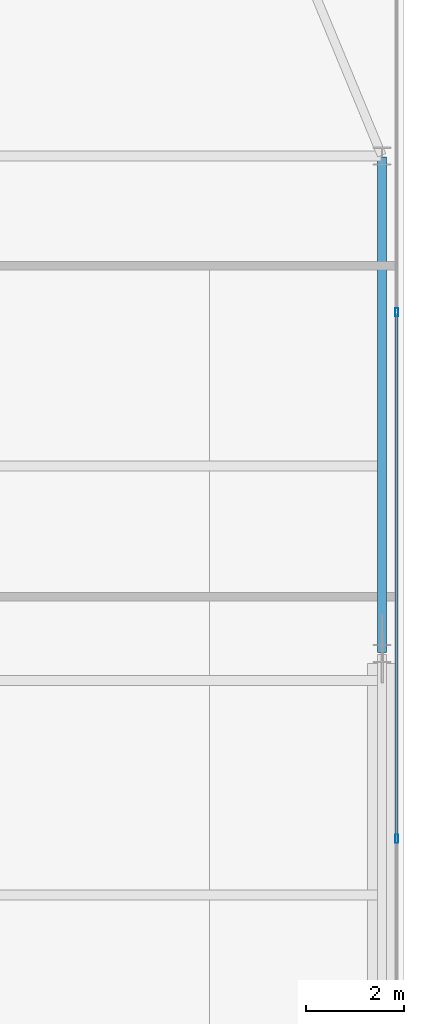
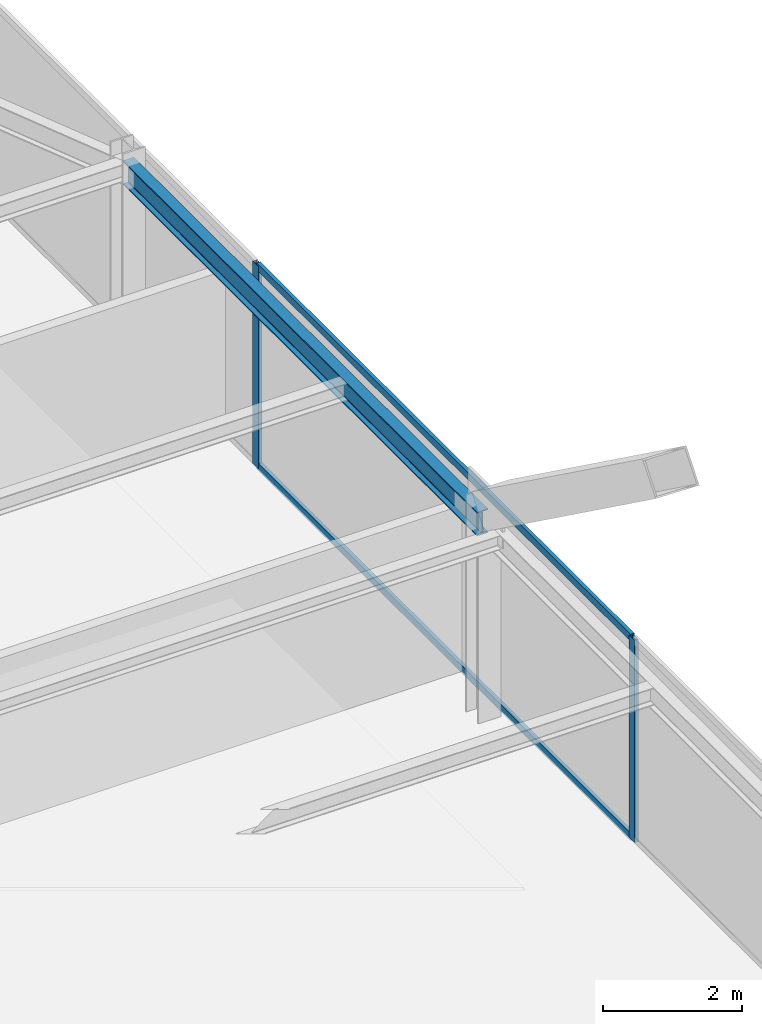
# One storey, part 18 of 32: 4 members, 1 beam, 1 element without a shape of its own.
"""IFC4 building model written with IfcOpenShell, lengths in metres."""

from ifc_helpers import new_model, si_unit, direction, frame, origin, origin_2d, place, context, subcontext, project, spatial, hollow_rectangle, i_section, extrude, source, transform, mapped, material, layer, layer_set, material_profile, profile_set, type_object, type_shapes, element, aggregate, save


model = new_model("IFC4")

# Units and contexts
model_context = context("Model", 3, precision=1e-05, world=origin(), true_north=direction((0.0, 1.0)))
body_context = subcontext(model_context, "Body", "Model", "MODEL_VIEW")
ifc_project = project(units=[si_unit("LENGTHUNIT", "METRE"), si_unit("AREAUNIT", "SQUARE_METRE"), si_unit("VOLUMEUNIT", "CUBIC_METRE"), si_unit("PLANEANGLEUNIT", "RADIAN"), si_unit("MASSUNIT", "GRAM", prefix="KILO")], contexts=[model_context])

# Site, building, storey
site_placement = place(None, origin())
site = spatial("IfcSite", under=ifc_project, at=site_placement, CompositionType="ELEMENT")
building_placement = place(site_placement, origin())
building = spatial("IfcBuilding", under=site, at=building_placement, Name="Varnel Quay Broadcast Tower", CompositionType="ELEMENT")
storey_placement = place(building_placement, frame((0.0, 0.0, 164.800048828125)))
storey = spatial("IfcBuildingStorey", under=building, at=storey_placement, Name="L40", CompositionType="ELEMENT", Elevation=164.800048828125)

# Beam
ifc_material_1 = material(Name="Structural Steel CSA G40.21 350W", Category="steel")
ifc_material_profile_1 = material_profile(ifc_material_1, i_section(OverallWidth=0.180908203125, OverallDepth=0.4169921875, WebThickness=0.010986328125, FlangeThickness=0.018310546875, FilletRadius=0.011962890625, at=origin_2d()), Name="W410X85")
ifc_profile_set_1 = profile_set([ifc_material_profile_1], Name="Structural Steel CSA G40.21 350W")
beam_type = type_object("IfcBeamType", Name="Beam_W410X85", PredefinedType="SPANDREL", material=ifc_profile_set_1)
shared_shape_1 = source(origin(), body_context, "Body", "SweptSolid", [
    extrude(i_section(OverallWidth=0.180908203125, OverallDepth=0.4169921875, WebThickness=0.010986328125, FlangeThickness=0.018310546875, FilletRadius=0.011962890625, at=origin_2d()), origin(), (0.0, 0.0, 1.0), 10.16015625),
])
type_shapes(beam_type, [shared_shape_1])
beam_placement = place(storey_placement, frame((60.550048828125, 25.419921875, 3.341552734375), z_axis=(0.0, 1.0, 0.0), x_axis=(-1.0, 0.0, 0.0)))
element("IfcBeam", 1, at=beam_placement, inside=storey, type_object=beam_type, Name="L40 East Spandrel TC-E2-TC-E3", PredefinedType="SPANDREL", context=body_context, shape_type="MappedRepresentation", body=[
    mapped(shared_shape_1, transform((0.0, 0.0, 0.0), x_axis=(1.0, 0.0, 0.0), y_axis=(0.0, 1.0, 0.0), z_axis=(0.0, 0.0, 1.0), scale=1.0)),
])

# Curtain wall, members
ifc_material_2 = material(Name="Anodised Bronze Aluminium 6063-T6", Category="aluminium")
ifc_layer = layer(ifc_material_2, 0.18994140625, Name="Anodised Bronze Aluminium 6063-T6")
ifc_layer_set = layer_set([ifc_layer], Name="Anodised Bronze Aluminium 6063-T6")
curtain_wall_type = type_object("IfcCurtainWallType", Name="CW_UpperTower", PredefinedType="NOTDEFINED", material=ifc_layer_set)
curtain_wall_placement = place(storey_placement, origin())
curtain_wall = element("IfcCurtainWall", 2, at=curtain_wall_placement, inside=storey, type_object=curtain_wall_type, Name="L40 East Unitised Curtain Wall", PredefinedType="NOTDEFINED")
ifc_material_profile_2 = material_profile(ifc_material_2, hollow_rectangle(XDim=0.06494140625, YDim=0.1650390625, WallThickness=0.00341796875, at=origin_2d()), Name="ALU65X165X3.5")
ifc_profile_set_2 = profile_set([ifc_material_profile_2], Name="Anodised Bronze Aluminium 6063-T6")
member_type_1 = type_object("IfcMemberType", Name="Mull_CWS-03", PredefinedType="MULLION", material=ifc_profile_set_2)
shared_shape_2 = source(origin(), body_context, "Body", "SweptSolid", [
    extrude(hollow_rectangle(XDim=0.06494140625, YDim=0.1650390625, WallThickness=0.00341796875, at=origin_2d()), origin(), (0.0, 0.0, 1.0), 3.550048828125),
])
type_shapes(member_type_1, [shared_shape_2])
member_1_placement = place(storey_placement, frame((60.85009765625, 21.60009765625, 0.0), z_axis=(0.0, 0.0, 1.0), x_axis=(-1.0, 0.0, 0.0)))
member_1 = element("IfcMember", 3, at=member_1_placement, type_object=member_type_1, Name="CWS-03 mullion 2", PredefinedType="MULLION", context=body_context, shape_type="MappedRepresentation", body=[
    mapped(shared_shape_2, transform((0.0, 0.0, 0.0), x_axis=(1.0, 0.0, 0.0), y_axis=(0.0, 1.0, 0.0), z_axis=(0.0, 0.0, 1.0), scale=1.0)),
])
member_2_placement = place(storey_placement, frame((60.85009765625, 32.39990234375, 0.0), z_axis=(0.0, 0.0, 1.0), x_axis=(-1.0, 0.0, 0.0)))
member_2 = element("IfcMember", 4, at=member_2_placement, type_object=member_type_1, Name="CWS-03 mullion 3", PredefinedType="MULLION", context=body_context, shape_type="MappedRepresentation", body=[
    mapped(shared_shape_2, transform((0.0, 0.0, 0.0), x_axis=(1.0, 0.0, 0.0), y_axis=(0.0, 1.0, 0.0), z_axis=(0.0, 0.0, 1.0), scale=1.0)),
])
ifc_material_profile_3 = material_profile(ifc_material_2, hollow_rectangle(XDim=0.06005859375, YDim=0.125, WallThickness=0.0029296875, at=origin_2d()), Name="ALU60X125X3")
ifc_profile_set_3 = profile_set([ifc_material_profile_3], Name="Anodised Bronze Aluminium 6063-T6")
member_type_2 = type_object("IfcMemberType", Name="Tran_CWS-03", PredefinedType="USERDEFINED", material=ifc_profile_set_3)
shared_shape_3 = source(origin(), body_context, "Body", "SweptSolid", [
    extrude(hollow_rectangle(XDim=0.06005859375, YDim=0.125, WallThickness=0.0029296875, at=origin_2d()), origin(), (0.0, 0.0, 1.0), 10.73486328125),
])
type_shapes(member_type_2, [shared_shape_3])
member_3_placement = place(storey_placement, frame((60.85009765625, 21.632568359375, 0.030029296875), z_axis=(0.0, 1.0, 0.0), x_axis=(-1.0, 0.0, 0.0)))
member_3 = element("IfcMember", 5, at=member_3_placement, type_object=member_type_2, Name="CWS-03 transom 2.1", ObjectType="TRANSOM", PredefinedType="USERDEFINED", context=body_context, shape_type="MappedRepresentation", body=[
    mapped(shared_shape_3, transform((0.0, 0.0, 0.0), x_axis=(1.0, 0.0, 0.0), y_axis=(0.0, 1.0, 0.0), z_axis=(0.0, 0.0, 1.0), scale=1.0)),
])
member_4_placement = place(storey_placement, frame((60.85009765625, 21.632568359375, 3.52001953125), z_axis=(0.0, 1.0, 0.0), x_axis=(-1.0, 0.0, 0.0)))
member_4 = element("IfcMember", 6, at=member_4_placement, type_object=member_type_2, Name="CWS-03 transom 2.2", ObjectType="TRANSOM", PredefinedType="USERDEFINED", context=body_context, shape_type="MappedRepresentation", body=[
    mapped(shared_shape_3, transform((0.0, 0.0, 0.0), x_axis=(1.0, 0.0, 0.0), y_axis=(0.0, 1.0, 0.0), z_axis=(0.0, 0.0, 1.0), scale=1.0)),
])
aggregate(curtain_wall, [member_1, member_2, member_3, member_4])

save(model, "model.ifc")
